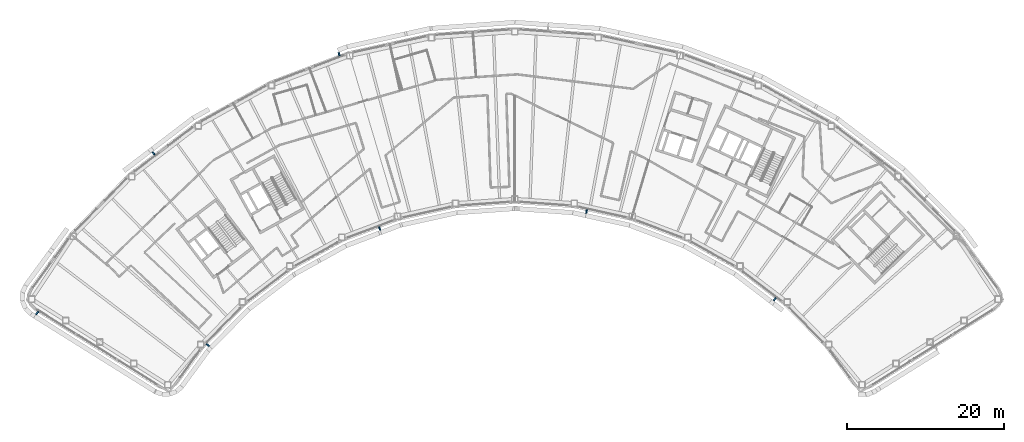
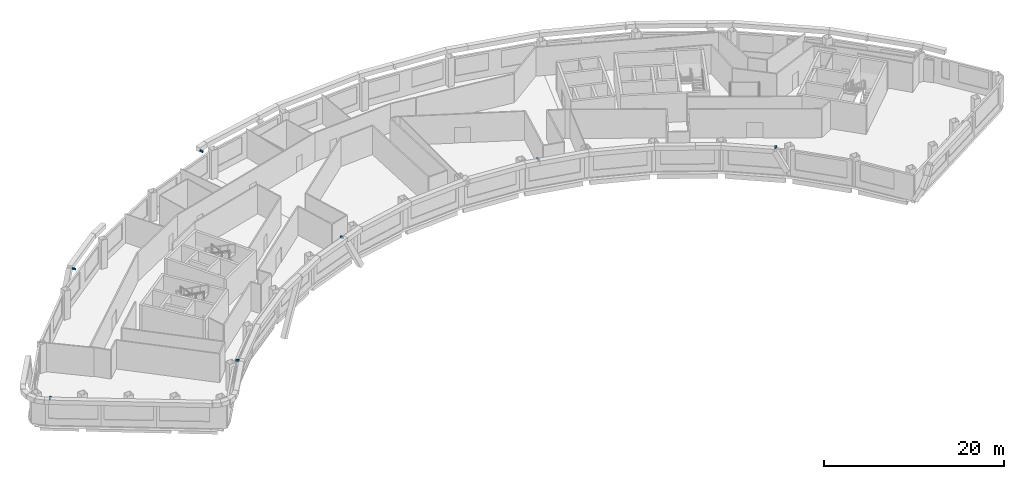
# One storey, part 11 of 15: 7 discrete accessories.
"""IFC4 building model written with IfcOpenShell, lengths in metres."""

from ifc_helpers import new_model, si_unit, direction, frame, origin, origin_2d, place, context, subcontext, project, spatial, rectangle, extrude, material, type_object, element, save


model = new_model("IFC4")

# Units and contexts
model_context = context("Model", 3, precision=1e-05, world=origin(), true_north=direction((0.0, 1.0)))
body_context = subcontext(model_context, "Body", "Model", "MODEL_VIEW")
ifc_project = project(units=[si_unit("LENGTHUNIT", "METRE"), si_unit("AREAUNIT", "SQUARE_METRE"), si_unit("VOLUMEUNIT", "CUBIC_METRE"), si_unit("PLANEANGLEUNIT", "RADIAN"), si_unit("MASSUNIT", "GRAM", prefix="KILO")], contexts=[model_context])

# Site, building, storey
site_placement = place(None, origin())
site = spatial("IfcSite", under=ifc_project, at=site_placement, CompositionType="ELEMENT")
building_placement = place(site_placement, origin())
building = spatial("IfcBuilding", under=site, at=building_placement, Name="Tuul Gate Civic Tower", CompositionType="ELEMENT")
storey_placement = place(building_placement, frame((0.0, 0.0, 332.300048828125)))
storey = spatial("IfcBuildingStorey", under=building, at=storey_placement, Name="Level 75", CompositionType="ELEMENT", Elevation=332.300048828125)

# Discrete accessories
ifc_material = material(Name="Stainless steel", Category="steel")
discrete_accessory_type = type_object("IfcDiscreteAccessoryType", Name="Screen bracket", PredefinedType="BRACKET", material=ifc_material)
discrete_accessory_1_placement = place(storey_placement, frame((-20.236572265625, 10.96875, 3.75), z_axis=(0.0, 0.0, 1.0), x_axis=(-0.301085293107, 0.953597213857, 0.0)))
element("IfcDiscreteAccessory", 1, at=discrete_accessory_1_placement, inside=storey, type_object=discrete_accessory_type, Name="Screen bracket 12", PredefinedType="BRACKET", context=body_context, shape_type="SweptSolid", body=[
    extrude(rectangle(XDim=0.45068359375, YDim=0.199951171875, at=origin_2d()), origin(), (0.0, 0.0, 1.0), 0.199951171875),
])
discrete_accessory_2_placement = place(storey_placement, frame((-43.923095703125, -1.6962890625, 3.75), z_axis=(0.0, 0.0, 1.0), x_axis=(-0.619891340286, 0.784687661581, 0.0)))
element("IfcDiscreteAccessory", 2, at=discrete_accessory_2_placement, inside=storey, type_object=discrete_accessory_type, Name="Screen bracket 15", PredefinedType="BRACKET", context=body_context, shape_type="SweptSolid", body=[
    extrude(rectangle(XDim=0.4501953125, YDim=0.199951171875, at=origin_2d()), origin(), (0.0, 0.0, 1.0), 0.199951171875),
])
discrete_accessory_3_placement = place(storey_placement, frame((-58.77099609375, -22.065673828125, 3.75), z_axis=(0.0, 0.0, 1.0), x_axis=(-0.609611262251, -0.792700516549, 0.0)))
element("IfcDiscreteAccessory", 3, at=discrete_accessory_3_placement, inside=storey, type_object=discrete_accessory_type, Name="Screen bracket 18", PredefinedType="BRACKET", context=body_context, shape_type="SweptSolid", body=[
    extrude(rectangle(XDim=0.4521484375, YDim=0.199951171875, at=origin_2d()), origin(), (0.0, 0.0, 1.0), 0.199951171875),
])
discrete_accessory_4_placement = place(storey_placement, frame((-37.01220703125, -26.166015625, 3.75), z_axis=(0.0, 0.0, 1.0), x_axis=(0.756372035012, -0.654141685456, 0.0)))
element("IfcDiscreteAccessory", 4, at=discrete_accessory_4_placement, inside=storey, type_object=discrete_accessory_type, Name="Screen bracket 21", PredefinedType="BRACKET", context=body_context, shape_type="SweptSolid", body=[
    extrude(rectangle(XDim=0.450927734375, YDim=0.199951171875, at=origin_2d()), origin(), (0.0, 0.0, 1.0), 0.199951171875),
])
for number, where, z_axis, x_axis, name in (
    (5, (-15.062744140625, -11.290283203125, 3.75), (0.0, 0.0, 1.0), (0.333467922394, -0.942761446356, 0.0), "Screen bracket 24"),
    (6, (11.340087890625, -9.114990234375, 3.75), (0.0, 0.0, 1.0), (-0.176725719761, -0.984260138365, 0.0), "Screen bracket 27"),
):
    element("IfcDiscreteAccessory", number, at=place(storey_placement, frame(where, z_axis=z_axis, x_axis=x_axis)), inside=storey, type_object=discrete_accessory_type, Name=name, PredefinedType="BRACKET", context=body_context, shape_type="SweptSolid", body=[
        extrude(rectangle(XDim=0.4501953125, YDim=0.199951171875, at=origin_2d()), origin(), (0.0, 0.0, 1.0), 0.199951171875),
    ])
discrete_accessory_5_placement = place(storey_placement, frame((35.3701171875, -20.314453125, 3.75), z_axis=(0.0, 0.0, 1.0), x_axis=(-0.640723630642, -0.76777159959, 0.0)))
element("IfcDiscreteAccessory", 7, at=discrete_accessory_5_placement, inside=storey, type_object=discrete_accessory_type, Name="Screen bracket 30", PredefinedType="BRACKET", context=body_context, shape_type="SweptSolid", body=[
    extrude(rectangle(XDim=0.450439453125, YDim=0.199951171875, at=origin_2d()), origin(), (0.0, 0.0, 1.0), 0.199951171875),
])

save(model, "model.ifc")
